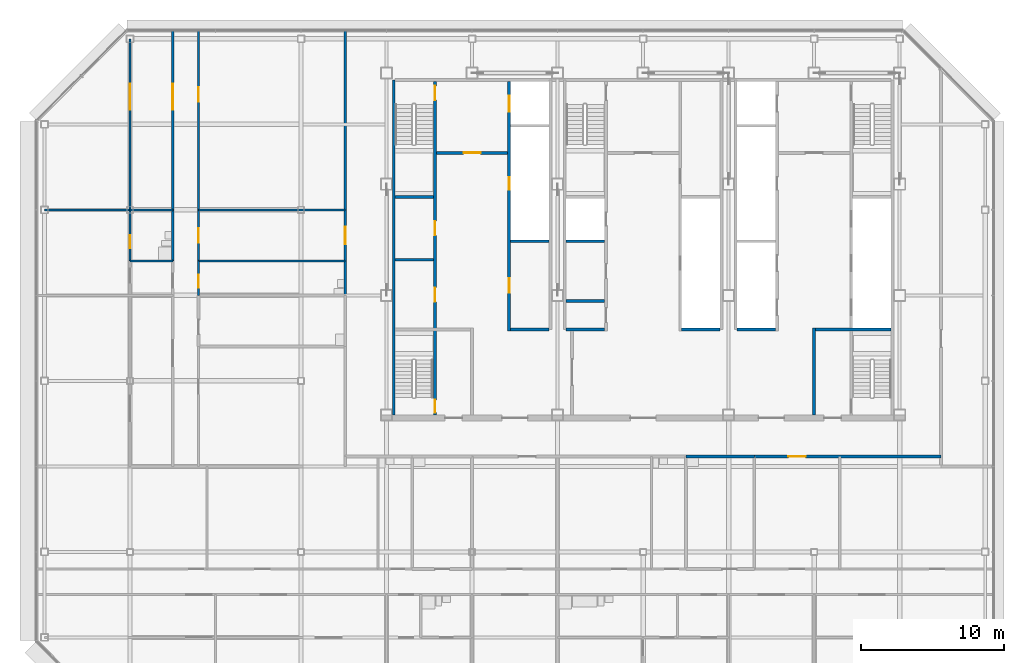
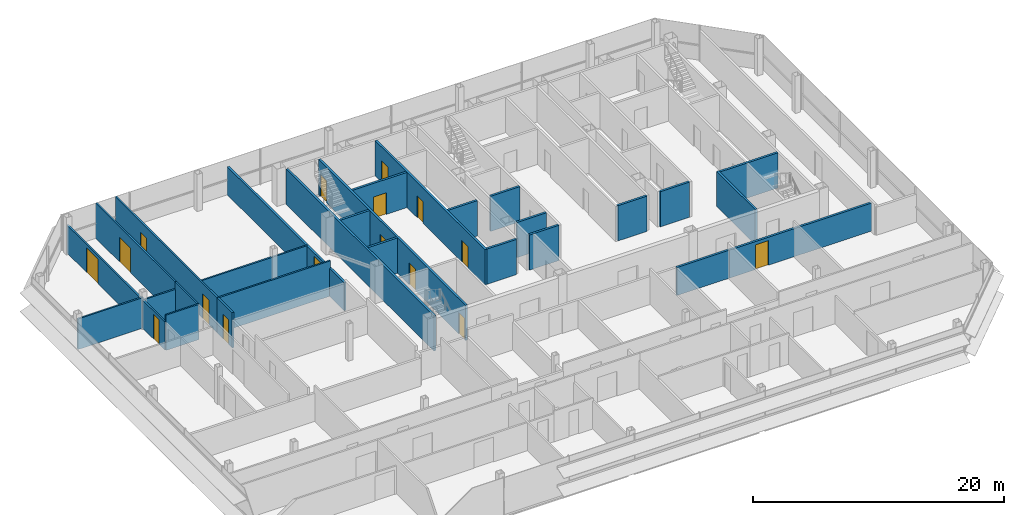
# One storey, part 23 of 27: 29 walls, 16 doors, 16 openings.
"""IFC4 building model written with IfcOpenShell, lengths in metres."""

from ifc_helpers import new_model, si_unit, direction, frame, frame_2d, origin, place, context, subcontext, project, spatial, rectangle, extrude, material, layer, layer_set, type_object, element, fill, save


model = new_model("IFC4")

# Units and contexts
model_context = context("Model", 3, precision=1e-05, world=origin(), true_north=direction((0.0, 1.0)))
body_context = subcontext(model_context, "Body", "Model", "MODEL_VIEW")
ifc_project = project(units=[si_unit("LENGTHUNIT", "METRE"), si_unit("AREAUNIT", "SQUARE_METRE"), si_unit("VOLUMEUNIT", "CUBIC_METRE"), si_unit("PLANEANGLEUNIT", "RADIAN"), si_unit("MASSUNIT", "GRAM", prefix="KILO")], contexts=[model_context])

# Site, building, storey
site_placement = place(None, origin())
site = spatial("IfcSite", under=ifc_project, at=site_placement, CompositionType="ELEMENT")
building_placement = place(site_placement, origin())
building = spatial("IfcBuilding", under=site, at=building_placement, Name="Sorahane Residences", CompositionType="ELEMENT")
storey_placement = place(building_placement, frame((0.0, 0.0, 323.199951171875)))
storey = spatial("IfcBuildingStorey", under=building, at=storey_placement, Name="L77", CompositionType="ELEMENT", Elevation=323.199951171875)

# Wall
ifc_material_1 = material(Name="Concrete C30", Category="concrete")
ifc_layer_1 = layer(ifc_material_1, 0.199951171875)
ifc_layer_set_1 = layer_set([ifc_layer_1], Name="Core face wall 200 EI 180")
wall_type_1 = type_object("IfcWallType", Name="Core face wall 200 EI 180", PredefinedType="SOLIDWALL", material=ifc_layer_set_1)
wall_1_placement = place(storey_placement, frame((6.5, 21.60009765625, 0.0), z_axis=(0.0, 0.0, 1.0), x_axis=(0.0, 1.0, 0.0)))
element("IfcWall", 1, at=wall_1_placement, inside=storey, type_object=wall_type_1, Name="L77 core face wall", PredefinedType="SOLIDWALL", context=body_context, shape_type="SweptSolid", body=[
    extrude(rectangle(XDim=23.5, YDim=0.199951171875, at=frame_2d((11.75, 0.0))), origin(), (0.0, 0.0, 1.0), 3.420166015625),
])

# Wall, opening, door
ifc_material_2 = material(Name="Concrete blockwork C20 wall", Category="masonry")
ifc_layer_2 = layer(ifc_material_2, 0.199951171875)
ifc_layer_set_2 = layer_set([ifc_layer_2], Name="Corridor wall 200 EI 120")
wall_type_2 = type_object("IfcWallType", Name="Corridor wall 200 EI 120", PredefinedType="SOLIDWALL", material=ifc_layer_set_2)
wall_2_placement = place(storey_placement, frame((3.10009765625, 30.0, 0.0), z_axis=(0.0, 0.0, 1.0), x_axis=(0.0, 1.0, 0.0)))
wall_2 = element("IfcWall", 2, at=wall_2_placement, inside=storey, type_object=wall_type_2, Name="L77 corridor wall", PredefinedType="SOLIDWALL", context=body_context, shape_type="SweptSolid", body=[
    extrude(rectangle(XDim=18.60009765625, YDim=0.199951171875, at=frame_2d((9.300048828125, 0.0))), origin(), (0.0, 0.0, 1.0), 2.719970703125),
])
opening_1_placement = place(wall_2_placement, frame((3.60009765625, 0.0, 0.0)))
opening_1 = element("IfcOpeningElement", 3, at=opening_1_placement, cuts=wall_2, Name="Opening L77-40", PredefinedType="OPENING", context=body_context, shape_type="SweptSolid", body=[
    extrude(rectangle(XDim=1.199951171875, YDim=2.39990234375, at=frame_2d((0.60009765625, 1.199951171875))), frame((0.0, 0.10986328125, 0.0), z_axis=(0.0, -1.0, 0.0), x_axis=(1.0, 0.0, 0.0)), (0.0, 0.0, 1.0), 0.219970703125),
])
ifc_material_3 = material(Name="Timber veneered fire door", Category="wood")
door_type_1 = type_object("IfcDoorType", Name="Flat entrance door 1200x2400 FD60", OperationType="NOTDEFINED", PredefinedType="DOOR", material=ifc_material_3)
door_1_placement = place(opening_1_placement, origin())
door_1 = element("IfcDoor", 4, at=door_1_placement, inside=storey, type_object=door_type_1, Name="Flat entrance door L77-40", OperationType="SINGLE_SWING_LEFT", OverallHeight=2.39990234375, OverallWidth=1.199951171875, PredefinedType="DOOR", context=body_context, shape_type="SweptSolid", body=[
    extrude(rectangle(XDim=1.199951171875, YDim=2.39990234375, at=frame_2d((0.60009765625, 1.199951171875))), frame((0.0, 0.02490234375, 0.0), z_axis=(0.0, -1.0, 0.0), x_axis=(1.0, 0.0, 0.0)), (0.0, 0.0, 1.0), 0.050048828125),
])
fill(opening_1, door_1)

wall_3_placement = place(storey_placement, frame((31.800048828125, 18.699951171875, 0.0), z_axis=(0.0, 0.0, 1.0), x_axis=(1.0, 0.0, 0.0)))
wall_3 = element("IfcWall", 5, at=wall_3_placement, inside=storey, type_object=wall_type_2, Name="L77 corridor wall", PredefinedType="SOLIDWALL", context=body_context, shape_type="SweptSolid", body=[
    extrude(rectangle(XDim=13.099853515625, YDim=0.199951171875, at=frame_2d((6.5498046875, 0.0))), origin(), (0.0, 0.0, 1.0), 2.719970703125),
])
opening_2_placement = place(wall_3_placement, frame((2.39990234375, 0.0, 0.0)))
opening_2 = element("IfcOpeningElement", 6, at=opening_2_placement, cuts=wall_3, Name="Opening L77-39", PredefinedType="OPENING", context=body_context, shape_type="SweptSolid", body=[
    extrude(rectangle(XDim=1.199951171875, YDim=2.39990234375, at=frame_2d((0.60009765625, 1.199951171875))), frame((0.0, 0.10986328125, 0.0), z_axis=(0.0, -1.0, 0.0), x_axis=(1.0, 0.0, 0.0)), (0.0, 0.0, 1.0), 0.219970703125),
])
door_2_placement = place(opening_2_placement, frame((1.199951171875, 0.0, 0.0), z_axis=(0.0, 0.0, 1.0), x_axis=(-1.0, 0.0, 0.0)))
door_2 = element("IfcDoor", 7, at=door_2_placement, inside=storey, type_object=door_type_1, Name="Flat entrance door L77-39", OperationType="SINGLE_SWING_RIGHT", OverallHeight=2.39990234375, OverallWidth=1.199951171875, PredefinedType="DOOR", context=body_context, shape_type="SweptSolid", body=[
    extrude(rectangle(XDim=1.199951171875, YDim=2.39990234375, at=frame_2d((0.60009765625, 1.199951171875))), frame((0.0, 0.02490234375, 0.0), z_axis=(0.0, -1.0, 0.0), x_axis=(1.0, 0.0, 0.0)), (0.0, 0.0, 1.0), 0.050048828125),
])
fill(opening_2, door_2)

# Wall
ifc_material_4 = material(Name="Concrete C30", Category="concrete")
ifc_layer_3 = layer(ifc_material_4, 0.199951171875)
ifc_layer_set_3 = layer_set([ifc_layer_3], Name="Front room wall 200 EI 120")
wall_type_3 = type_object("IfcWallType", Name="Front room wall 200 EI 120", PredefinedType="PARTITIONING", material=ifc_layer_set_3)
wall_4_placement = place(storey_placement, frame((36.0, 21.60009765625, 0.0), z_axis=(0.0, 0.0, 1.0), x_axis=(0.0, 1.0, 0.0)))
element("IfcWall", 8, at=wall_4_placement, inside=storey, type_object=wall_type_3, Name="L77 front room wall", PredefinedType="PARTITIONING", context=body_context, shape_type="SweptSolid", body=[
    extrude(rectangle(XDim=6.099853515625, YDim=0.199951171875, at=frame_2d((3.0498046875, 0.0))), origin(), (0.0, 0.0, 1.0), 3.420166015625),
])

# Wall, opening, door
wall_5_placement = place(storey_placement, frame((9.5, 40.0, 0.0), z_axis=(0.0, 0.0, 1.0), x_axis=(1.0, 0.0, 0.0)))
wall_5 = element("IfcWall", 9, at=wall_5_placement, inside=storey, type_object=wall_type_3, Name="L77 front room wall", PredefinedType="PARTITIONING", context=body_context, shape_type="SweptSolid", body=[
    extrude(rectangle(XDim=5.0, YDim=0.199951171875, at=frame_2d((2.5, 0.0))), origin(), (0.0, 0.0, 1.0), 3.420166015625),
])
opening_3_placement = place(wall_5_placement, frame((1.89990234375, 0.0, 0.0)))
opening_3 = element("IfcOpeningElement", 10, at=opening_3_placement, cuts=wall_5, Name="Opening L77-C07", PredefinedType="OPENING", context=body_context, shape_type="SweptSolid", body=[
    extrude(rectangle(XDim=1.199951171875, YDim=2.10009765625, at=frame_2d((0.60009765625, 1.050048828125))), frame((0.0, 0.10986328125, 0.0), z_axis=(0.0, -1.0, 0.0), x_axis=(1.0, 0.0, 0.0)), (0.0, 0.0, 1.0), 0.219970703125),
])
ifc_material_5 = material(Name="Steel", Category="steel")
door_type_2 = type_object("IfcDoorType", Name="Front room door 1200x2100 FD120", OperationType="NOTDEFINED", PredefinedType="DOOR", material=ifc_material_5)
door_3_placement = place(opening_3_placement, frame((1.199951171875, 0.0, 0.0), z_axis=(0.0, 0.0, 1.0), x_axis=(-1.0, 0.0, 0.0)))
door_3 = element("IfcDoor", 11, at=door_3_placement, inside=storey, type_object=door_type_2, Name="Front room door Firefighting lobby FF1 front room L77", OperationType="DOUBLE_DOOR_SINGLE_SWING", OverallHeight=2.10009765625, OverallWidth=1.199951171875, PredefinedType="DOOR", context=body_context, shape_type="SweptSolid", body=[
    extrude(rectangle(XDim=1.199951171875, YDim=2.10009765625, at=frame_2d((0.60009765625, 1.050048828125))), frame((0.0, 0.02490234375, 0.0), z_axis=(0.0, -1.0, 0.0), x_axis=(1.0, 0.0, 0.0)), (0.0, 0.0, 1.0), 0.050048828125),
])
fill(opening_3, door_3)

# Wall
ifc_material_6 = material(Name="Concrete blockwork C20 wall", Category="masonry")
ifc_layer_4 = layer(ifc_material_6, 0.199951171875)
ifc_layer_set_4 = layer_set([ifc_layer_4], Name="Kitchen wall 200 EI 180")
wall_type_4 = type_object("IfcWallType", Name="Kitchen wall 200 EI 180", PredefinedType="SOLIDWALL", material=ifc_layer_set_4)
wall_6_placement = place(storey_placement, frame((27.0, 18.699951171875, 0.0), z_axis=(0.0, 0.0, 1.0), x_axis=(1.0, 0.0, 0.0)))
element("IfcWall", 12, at=wall_6_placement, inside=storey, type_object=wall_type_4, Name="L77 kitchen wall", PredefinedType="SOLIDWALL", context=body_context, shape_type="SweptSolid", body=[
    extrude(rectangle(XDim=4.800048828125, YDim=0.199951171875, at=frame_2d((2.39990234375, 0.0))), origin(), (0.0, 0.0, 1.0), 2.719970703125),
])

# Wall, openings, doors
ifc_material_7 = material(Name="Concrete C30", Category="concrete")
ifc_layer_5 = layer(ifc_material_7, 0.199951171875)
ifc_layer_set_5 = layer_set([ifc_layer_5], Name="Lift shaft wall 200 EI 120")
wall_type_5 = type_object("IfcWallType", Name="Lift shaft wall 200 EI 120", PredefinedType="SOLIDWALL", material=ifc_layer_set_5)
wall_7_placement = place(storey_placement, frame((14.60009765625, 27.5, 0.0), z_axis=(0.0, 0.0, 1.0), x_axis=(0.0, 1.0, 0.0)))
wall_7 = element("IfcWall", 13, at=wall_7_placement, inside=storey, type_object=wall_type_5, Name="L77 lift shaft wall", PredefinedType="SOLIDWALL", context=body_context, shape_type="SweptSolid", body=[
    extrude(rectangle(XDim=17.5, YDim=0.199951171875, at=frame_2d((8.75, 0.0))), origin(), (0.0, 0.0, 1.0), 3.420166015625),
])
opening_4_placement = place(wall_7_placement, frame((15.39990234375, 0.0, 0.0)))
opening_4 = element("IfcOpeningElement", 14, at=opening_4_placement, cuts=wall_7, Name="Opening L77-C16", PredefinedType="OPENING", context=body_context, shape_type="SweptSolid", body=[
    extrude(rectangle(XDim=1.10009765625, YDim=2.10009765625, at=frame_2d((0.550048828125, 1.050048828125))), frame((0.0, 0.10986328125, 0.0), z_axis=(0.0, -1.0, 0.0), x_axis=(1.0, 0.0, 0.0)), (0.0, 0.0, 1.0), 0.219970703125),
])
opening_5_placement = place(wall_7_placement, frame((2.699951171875, 0.0, 0.0)))
opening_5 = element("IfcOpeningElement", 15, at=opening_5_placement, cuts=wall_7, Name="Opening L77-C19", PredefinedType="OPENING", context=body_context, shape_type="SweptSolid", body=[
    extrude(rectangle(XDim=1.0, YDim=2.10009765625, at=frame_2d((0.5, 1.050048828125))), frame((0.0, 0.10986328125, 0.0), z_axis=(0.0, -1.0, 0.0), x_axis=(1.0, 0.0, 0.0)), (0.0, 0.0, 1.0), 0.219970703125),
])
opening_6_placement = place(wall_7_placement, frame((9.89990234375, 0.0, 0.0)))
opening_6 = element("IfcOpeningElement", 16, at=opening_6_placement, cuts=wall_7, Name="Opening L77-C27", PredefinedType="OPENING", context=body_context, shape_type="SweptSolid", body=[
    extrude(rectangle(XDim=0.89990234375, YDim=2.10009765625, at=frame_2d((0.449951171875, 1.050048828125))), frame((0.0, 0.10986328125, 0.0), z_axis=(0.0, -1.0, 0.0), x_axis=(1.0, 0.0, 0.0)), (0.0, 0.0, 1.0), 0.219970703125),
])
ifc_material_8 = material(Name="Aluminium and stainless steel", Category="steel")
door_type_3 = type_object("IfcDoorType", Name="Lift landing door 1100x2100 E 60", OperationType="NOTDEFINED", PredefinedType="DOOR", material=ifc_material_8)
door_4_placement = place(opening_4_placement, origin())
door_4 = element("IfcDoor", 17, at=door_4_placement, inside=storey, type_object=door_type_3, Name="Lift landing door FF1 L77", OperationType="DOUBLE_DOOR_SLIDING", OverallHeight=2.10009765625, OverallWidth=1.10009765625, PredefinedType="DOOR", context=body_context, shape_type="SweptSolid", body=[
    extrude(rectangle(XDim=1.10009765625, YDim=2.10009765625, at=frame_2d((0.550048828125, 1.050048828125))), frame((0.0, 0.02490234375, 0.0), z_axis=(0.0, -1.0, 0.0), x_axis=(1.0, 0.0, 0.0)), (0.0, 0.0, 1.0), 0.050048828125),
])
fill(opening_4, door_4)
ifc_material_9 = material(Name="Steel", Category="steel")
door_type_4 = type_object("IfcDoorType", Name="Riser door 900x2100 FD120", OperationType="NOTDEFINED", PredefinedType="DOOR", material=ifc_material_9)
door_5_placement = place(opening_6_placement, origin())
door_5 = element("IfcDoor", 18, at=door_5_placement, inside=storey, type_object=door_type_4, Name="Riser door R1 L77", OperationType="SINGLE_SWING_LEFT", OverallHeight=2.10009765625, OverallWidth=0.89990234375, PredefinedType="DOOR", context=body_context, shape_type="SweptSolid", body=[
    extrude(rectangle(XDim=0.89990234375, YDim=2.10009765625, at=frame_2d((0.449951171875, 1.050048828125))), frame((0.0, 0.02490234375, 0.0), z_axis=(0.0, -1.0, 0.0), x_axis=(1.0, 0.0, 0.0)), (0.0, 0.0, 1.0), 0.050048828125),
])
fill(opening_6, door_5)
ifc_material_10 = material(Name="Steel", Category="steel")
door_type_5 = type_object("IfcDoorType", Name="Service room door 1000x2100 FD60", OperationType="NOTDEFINED", PredefinedType="DOOR", material=ifc_material_10)
door_6_placement = place(opening_5_placement, frame((1.0, 0.0, 0.0), z_axis=(0.0, 0.0, 1.0), x_axis=(-1.0, 0.0, 0.0)))
door_6 = element("IfcDoor", 19, at=door_6_placement, inside=storey, type_object=door_type_5, Name="Service room door Study L77", OperationType="SINGLE_SWING_RIGHT", OverallHeight=2.10009765625, OverallWidth=1.0, PredefinedType="DOOR", context=body_context, shape_type="SweptSolid", body=[
    extrude(rectangle(XDim=1.0, YDim=2.10009765625, at=frame_2d((0.5, 1.050048828125))), frame((0.0, 0.02490234375, 0.0), z_axis=(0.0, -1.0, 0.0), x_axis=(1.0, 0.0, 0.0)), (0.0, 0.0, 1.0), 0.050048828125),
])
fill(opening_5, door_6)

# Wall
wall_8_placement = place(storey_placement, frame((30.60009765625, 27.60009765625, 0.0), z_axis=(0.0, 0.0, 1.0), x_axis=(1.0, 0.0, 0.0)))
element("IfcWall", 20, at=wall_8_placement, inside=storey, type_object=wall_type_5, Name="L77 lift shaft wall", PredefinedType="SOLIDWALL", context=body_context, shape_type="SweptSolid", body=[
    extrude(rectangle(XDim=2.699951171875, YDim=0.199951171875, at=frame_2d((1.35009765625, 0.0))), origin(), (0.0, 0.0, 1.0), 3.420166015625),
])

# Wall, opening, door
ifc_material_11 = material(Name="Gypsum board partition on steel studs", Category="steel")
ifc_layer_6 = layer(ifc_material_11, 0.14990234375)
ifc_layer_set_6 = layer_set([ifc_layer_6], Name="Partition 150 EI 90")
wall_type_6 = type_object("IfcWallType", Name="Partition 150 EI 90", PredefinedType="PARTITIONING", material=ifc_layer_set_6)
wall_9_placement = place(storey_placement, frame((-12.0, 36.0, 0.0), z_axis=(0.0, 0.0, 1.0), x_axis=(0.0, 1.0, 0.0)))
wall_9 = element("IfcWall", 21, at=wall_9_placement, inside=storey, type_object=wall_type_6, Name="L77 partition", PredefinedType="PARTITIONING", context=body_context, shape_type="SweptSolid", body=[
    extrude(rectangle(XDim=12.0, YDim=0.14990234375, at=frame_2d((6.0, 0.0))), origin(), (0.0, 0.0, 1.0), 2.719970703125),
])
opening_7_placement = place(wall_9_placement, frame((7.0400390625, 0.0, 0.0)))
opening_7 = element("IfcOpeningElement", 22, at=opening_7_placement, cuts=wall_9, Name="Opening L77-37", PredefinedType="OPENING", context=body_context, shape_type="SweptSolid", body=[
    extrude(rectangle(XDim=1.800048828125, YDim=2.39990234375, at=frame_2d((0.89990234375, 1.199951171875))), frame((0.0, 0.0849609375, 0.0), z_axis=(0.0, -1.0, 0.0), x_axis=(1.0, 0.0, 0.0)), (0.0, 0.0, 1.0), 0.169921875),
])
ifc_material_12 = material(Name="Timber veneered fire door", Category="wood")
door_type_6 = type_object("IfcDoorType", Name="Double door 1800x2400 FD30", OperationType="NOTDEFINED", PredefinedType="DOOR", material=ifc_material_12)
door_7_placement = place(opening_7_placement, origin())
door_7 = element("IfcDoor", 23, at=door_7_placement, inside=storey, type_object=door_type_6, Name="Double door L77-37", OperationType="SINGLE_SWING_RIGHT", OverallHeight=2.39990234375, OverallWidth=1.800048828125, PredefinedType="DOOR", context=body_context, shape_type="SweptSolid", body=[
    extrude(rectangle(XDim=1.800048828125, YDim=2.39990234375, at=frame_2d((0.89990234375, 1.199951171875))), frame((0.0, 0.02490234375, 0.0), z_axis=(0.0, -1.0, 0.0), x_axis=(1.0, 0.0, 0.0)), (0.0, 0.0, 1.0), 0.050048828125),
])
fill(opening_7, door_7)

# Wall, openings, doors
wall_10_placement = place(storey_placement, frame((-7.199951171875, 32.39990234375, 0.0), z_axis=(0.0, 0.0, 1.0), x_axis=(0.0, 1.0, 0.0)))
wall_10 = element("IfcWall", 24, at=wall_10_placement, inside=storey, type_object=wall_type_6, Name="L77 partition", PredefinedType="PARTITIONING", context=body_context, shape_type="SweptSolid", body=[
    extrude(rectangle(XDim=16.2001953125, YDim=0.14990234375, at=frame_2d((8.10009765625, 0.0))), origin(), (0.0, 0.0, 1.0), 3.420166015625),
])
opening_8_placement = place(wall_10_placement, frame((1.300048828125, 0.0, 0.0)))
opening_8 = element("IfcOpeningElement", 25, at=opening_8_placement, cuts=wall_10, Name="Opening L77-26", PredefinedType="OPENING", context=body_context, shape_type="SweptSolid", body=[
    extrude(rectangle(XDim=1.0, YDim=2.39990234375, at=frame_2d((0.5, 1.199951171875))), frame((0.0, 0.0849609375, 0.0), z_axis=(0.0, -1.0, 0.0), x_axis=(1.0, 0.0, 0.0)), (0.0, 0.0, 1.0), 0.169921875),
])
opening_9_placement = place(wall_10_placement, frame((11.199951171875, 0.0, 0.0)))
opening_9 = element("IfcOpeningElement", 26, at=opening_9_placement, cuts=wall_10, Name="Opening L77-30", PredefinedType="OPENING", context=body_context, shape_type="SweptSolid", body=[
    extrude(rectangle(XDim=1.0, YDim=2.39990234375, at=frame_2d((0.5, 1.199951171875))), frame((0.0, 0.0849609375, 0.0), z_axis=(0.0, -1.0, 0.0), x_axis=(1.0, 0.0, 0.0)), (0.0, 0.0, 1.0), 0.169921875),
])
ifc_material_13 = material(Name="Timber veneered fire door", Category="wood")
door_type_7 = type_object("IfcDoorType", Name="Room door 1000x2400 FD30", OperationType="NOTDEFINED", PredefinedType="DOOR", material=ifc_material_13)
door_8_placement = place(opening_8_placement, origin())
door_8 = element("IfcDoor", 27, at=door_8_placement, inside=storey, type_object=door_type_7, Name="Room door L77-26", OperationType="SINGLE_SWING_LEFT", OverallHeight=2.39990234375, OverallWidth=1.0, PredefinedType="DOOR", context=body_context, shape_type="SweptSolid", body=[
    extrude(rectangle(XDim=1.0, YDim=2.39990234375, at=frame_2d((0.5, 1.199951171875))), frame((0.0, 0.02490234375, 0.0), z_axis=(0.0, -1.0, 0.0), x_axis=(1.0, 0.0, 0.0)), (0.0, 0.0, 1.0), 0.050048828125),
])
fill(opening_8, door_8)
door_9_placement = place(opening_9_placement, frame((1.0, 0.0, 0.0), z_axis=(0.0, 0.0, 1.0), x_axis=(-1.0, 0.0, 0.0)))
door_9 = element("IfcDoor", 28, at=door_9_placement, inside=storey, type_object=door_type_7, Name="Room door L77-30", OperationType="SINGLE_SWING_RIGHT", OverallHeight=2.39990234375, OverallWidth=1.0, PredefinedType="DOOR", context=body_context, shape_type="SweptSolid", body=[
    extrude(rectangle(XDim=1.0, YDim=2.39990234375, at=frame_2d((0.5, 1.199951171875))), frame((0.0, 0.02490234375, 0.0), z_axis=(0.0, -1.0, 0.0), x_axis=(1.0, 0.0, 0.0)), (0.0, 0.0, 1.0), 0.050048828125),
])
fill(opening_9, door_9)

# Wall, opening, door
wall_11_placement = place(storey_placement, frame((-9.0, 36.0, 0.0), z_axis=(0.0, 0.0, 1.0), x_axis=(0.0, 1.0, 0.0)))
wall_11 = element("IfcWall", 29, at=wall_11_placement, inside=storey, type_object=wall_type_6, Name="L77 partition", PredefinedType="PARTITIONING", context=body_context, shape_type="SweptSolid", body=[
    extrude(rectangle(XDim=12.60009765625, YDim=0.14990234375, at=frame_2d((6.300048828125, 0.0))), origin(), (0.0, 0.0, 1.0), 3.420166015625),
])
opening_10_placement = place(wall_11_placement, frame((7.0400390625, 0.0, 0.0)))
opening_10 = element("IfcOpeningElement", 30, at=opening_10_placement, cuts=wall_11, Name="Opening L77-33", PredefinedType="OPENING", context=body_context, shape_type="SweptSolid", body=[
    extrude(rectangle(XDim=1.800048828125, YDim=2.39990234375, at=frame_2d((0.89990234375, 1.199951171875))), frame((0.0, 0.0849609375, 0.0), z_axis=(0.0, -1.0, 0.0), x_axis=(1.0, 0.0, 0.0)), (0.0, 0.0, 1.0), 0.169921875),
])
door_10_placement = place(opening_10_placement, origin())
door_10 = element("IfcDoor", 31, at=door_10_placement, inside=storey, type_object=door_type_6, Name="Double door L77-33", OperationType="SINGLE_SWING_LEFT", OverallHeight=2.39990234375, OverallWidth=1.800048828125, PredefinedType="DOOR", context=body_context, shape_type="SweptSolid", body=[
    extrude(rectangle(XDim=1.800048828125, YDim=2.39990234375, at=frame_2d((0.89990234375, 1.199951171875))), frame((0.0, 0.02490234375, 0.0), z_axis=(0.0, -1.0, 0.0), x_axis=(1.0, 0.0, 0.0)), (0.0, 0.0, 1.0), 0.050048828125),
])
fill(opening_10, door_10)

# Walls
wall_12_placement = place(storey_placement, frame((-18.0, 36.0, 0.0), z_axis=(0.0, 0.0, 1.0), x_axis=(1.0, 0.0, 0.0)))
element("IfcWall", 32, at=wall_12_placement, inside=storey, type_object=wall_type_6, Name="L77 partition", PredefinedType="PARTITIONING", context=body_context, shape_type="SweptSolid", body=[
    extrude(rectangle(XDim=6.0, YDim=0.14990234375, at=frame_2d((3.0, 0.0))), origin(), (0.0, 0.0, 1.0), 2.969970703125),
])
wall_13_placement = place(storey_placement, frame((-7.199951171875, 36.0, 0.0), z_axis=(0.0, 0.0, 1.0), x_axis=(1.0, 0.0, 0.0)))
element("IfcWall", 33, at=wall_13_placement, inside=storey, type_object=wall_type_6, Name="L77 partition", PredefinedType="PARTITIONING", context=body_context, shape_type="SweptSolid", body=[
    extrude(rectangle(XDim=10.300048828125, YDim=0.14990234375, at=frame_2d((5.14990234375, 0.0))), origin(), (0.0, 0.0, 1.0), 2.719970703125),
])
ifc_material_14 = material(Name="Concrete C30", Category="concrete")
ifc_layer_7 = layer(ifc_material_14, 0.199951171875)
ifc_layer_set_7 = layer_set([ifc_layer_7], Name="Riser shaft wall 200 EI 120")
wall_type_7 = type_object("IfcWallType", Name="Riser shaft wall 200 EI 120", PredefinedType="SOLIDWALL", material=ifc_layer_set_7)
for number, where, z_axis, x_axis, name in (
    (34, (26.699951171875, 27.60009765625, 0.0), (0.0, 0.0, 1.0), (1.0, 0.0, 0.0), "L77 riser wall"),
    (35, (14.699951171875, 33.800048828125, 0.0), (0.0, 0.0, 1.0), (1.0, 0.0, 0.0), "L77 riser wall"),
    (36, (18.60009765625, 33.800048828125, 0.0), (0.0, 0.0, 1.0), (1.0, 0.0, 0.0), "L77 riser wall"),
):
    element("IfcWall", number, at=place(storey_placement, frame(where, z_axis=z_axis, x_axis=x_axis)), inside=storey, type_object=wall_type_7, Name=name, PredefinedType="SOLIDWALL", context=body_context, shape_type="SweptSolid", body=[
        extrude(rectangle(XDim=2.699951171875, YDim=0.199951171875, at=frame_2d((1.35009765625, 0.0))), origin(), (0.0, 0.0, 1.0), 3.420166015625),
    ])
ifc_material_15 = material(Name="Concrete C30", Category="concrete")
ifc_layer_8 = layer(ifc_material_15, 0.199951171875)
ifc_layer_set_8 = layer_set([ifc_layer_8], Name="Service room partition 200 EI 60")
wall_type_8 = type_object("IfcWallType", Name="Service room partition 200 EI 60", PredefinedType="PARTITIONING", material=ifc_layer_set_8)
for number, where, z_axis, x_axis, name in (
    (37, (14.699951171875, 27.60009765625, 0.0), (0.0, 0.0, 1.0), (1.0, 0.0, 0.0), "L77 service room wall"),
    (38, (18.60009765625, 27.60009765625, 0.0), (0.0, 0.0, 1.0), (1.0, 0.0, 0.0), "L77 service room wall"),
    (39, (18.60009765625, 29.60009765625, 0.0), (0.0, 0.0, 1.0), (1.0, 0.0, 0.0), "L77 service room wall"),
    (40, (6.60009765625, 32.5, 0.0), (0.0, 0.0, 1.0), (1.0, 0.0, 0.0), "L77 service room wall"),
):
    element("IfcWall", number, at=place(storey_placement, frame(where, z_axis=z_axis, x_axis=x_axis)), inside=storey, type_object=wall_type_8, Name=name, PredefinedType="PARTITIONING", context=body_context, shape_type="SweptSolid", body=[
        extrude(rectangle(XDim=2.699951171875, YDim=0.199951171875, at=frame_2d((1.35009765625, 0.0))), origin(), (0.0, 0.0, 1.0), 3.420166015625),
    ])

# Wall, openings, doors
ifc_material_16 = material(Name="Concrete C30", Category="concrete")
ifc_layer_9 = layer(ifc_material_16, 0.199951171875)
ifc_layer_set_9 = layer_set([ifc_layer_9], Name="Stair enclosure wall 200 EI 120")
wall_type_9 = type_object("IfcWallType", Name="Stair enclosure wall 200 EI 120", PredefinedType="SOLIDWALL", material=ifc_layer_set_9)
wall_14_placement = place(storey_placement, frame((9.39990234375, 21.60009765625, 0.0), z_axis=(0.0, 0.0, 1.0), x_axis=(0.0, 1.0, 0.0)))
wall_14 = element("IfcWall", 41, at=wall_14_placement, inside=storey, type_object=wall_type_9, Name="L77 stair enclosure wall", PredefinedType="SOLIDWALL", context=body_context, shape_type="SweptSolid", body=[
    extrude(rectangle(XDim=23.39990234375, YDim=0.199951171875, at=frame_2d((11.699951171875, 0.0))), origin(), (0.0, 0.0, 1.0), 3.420166015625),
])
opening_11_placement = place(wall_14_placement, frame((7.949951171875, 0.0, 0.0)))
opening_11 = element("IfcOpeningElement", 42, at=opening_11_placement, cuts=wall_14, Name="Opening L77-C20", PredefinedType="OPENING", context=body_context, shape_type="SweptSolid", body=[
    extrude(rectangle(XDim=1.0, YDim=2.10009765625, at=frame_2d((0.5, 1.050048828125))), frame((0.0, 0.10986328125, 0.0), z_axis=(0.0, -1.0, 0.0), x_axis=(1.0, 0.0, 0.0)), (0.0, 0.0, 1.0), 0.219970703125),
])
opening_12_placement = place(wall_14_placement, frame((12.60009765625, 0.0, 0.0)))
opening_12 = element("IfcOpeningElement", 43, at=opening_12_placement, cuts=wall_14, Name="Opening L77-C21", PredefinedType="OPENING", context=body_context, shape_type="SweptSolid", body=[
    extrude(rectangle(XDim=1.0, YDim=2.10009765625, at=frame_2d((0.5, 1.050048828125))), frame((0.0, 0.10986328125, 0.0), z_axis=(0.0, -1.0, 0.0), x_axis=(1.0, 0.0, 0.0)), (0.0, 0.0, 1.0), 0.219970703125),
])
opening_13_placement = place(wall_14_placement, frame((22.10009765625, 0.0, 0.0)))
opening_13 = element("IfcOpeningElement", 44, at=opening_13_placement, cuts=wall_14, Name="Opening L77-C22", PredefinedType="OPENING", context=body_context, shape_type="SweptSolid", body=[
    extrude(rectangle(XDim=1.0, YDim=2.10009765625, at=frame_2d((0.5, 1.050048828125))), frame((0.0, 0.10986328125, 0.0), z_axis=(0.0, -1.0, 0.0), x_axis=(1.0, 0.0, 0.0)), (0.0, 0.0, 1.0), 0.219970703125),
])
opening_14_placement = place(wall_14_placement, frame((0.175048828125, 0.0, 0.0)))
opening_14 = element("IfcOpeningElement", 45, at=opening_14_placement, cuts=wall_14, Name="Opening L77-C25", PredefinedType="OPENING", context=body_context, shape_type="SweptSolid", body=[
    extrude(rectangle(XDim=0.89990234375, YDim=2.10009765625, at=frame_2d((0.449951171875, 1.050048828125))), frame((0.0, 0.10986328125, 0.0), z_axis=(0.0, -1.0, 0.0), x_axis=(1.0, 0.0, 0.0)), (0.0, 0.0, 1.0), 0.219970703125),
])
door_11_placement = place(opening_11_placement, origin())
door_11 = element("IfcDoor", 46, at=door_11_placement, inside=storey, type_object=door_type_5, Name="Service room door Reading room L77", OperationType="SINGLE_SWING_LEFT", OverallHeight=2.10009765625, OverallWidth=1.0, PredefinedType="DOOR", context=body_context, shape_type="SweptSolid", body=[
    extrude(rectangle(XDim=1.0, YDim=2.10009765625, at=frame_2d((0.5, 1.050048828125))), frame((0.0, 0.02490234375, 0.0), z_axis=(0.0, -1.0, 0.0), x_axis=(1.0, 0.0, 0.0)), (0.0, 0.0, 1.0), 0.050048828125),
])
fill(opening_11, door_11)
door_12_placement = place(opening_12_placement, origin())
door_12 = element("IfcDoor", 47, at=door_12_placement, inside=storey, type_object=door_type_5, Name="Service room door Guest suite store L77", OperationType="SINGLE_SWING_RIGHT", OverallHeight=2.10009765625, OverallWidth=1.0, PredefinedType="DOOR", context=body_context, shape_type="SweptSolid", body=[
    extrude(rectangle(XDim=1.0, YDim=2.10009765625, at=frame_2d((0.5, 1.050048828125))), frame((0.0, 0.02490234375, 0.0), z_axis=(0.0, -1.0, 0.0), x_axis=(1.0, 0.0, 0.0)), (0.0, 0.0, 1.0), 0.050048828125),
])
fill(opening_12, door_12)
ifc_material_17 = material(Name="Steel", Category="steel")
door_type_8 = type_object("IfcDoorType", Name="Stair door 1000x2100 FD120", OperationType="NOTDEFINED", PredefinedType="DOOR", material=ifc_material_17)
door_13_placement = place(opening_13_placement, origin())
door_13 = element("IfcDoor", 48, at=door_13_placement, inside=storey, type_object=door_type_8, Name="Stair door S1 L77", OperationType="SINGLE_SWING_LEFT", OverallHeight=2.10009765625, OverallWidth=1.0, PredefinedType="DOOR", context=body_context, shape_type="SweptSolid", body=[
    extrude(rectangle(XDim=1.0, YDim=2.10009765625, at=frame_2d((0.5, 1.050048828125))), frame((0.0, 0.02490234375, 0.0), z_axis=(0.0, -1.0, 0.0), x_axis=(1.0, 0.0, 0.0)), (0.0, 0.0, 1.0), 0.050048828125),
])
fill(opening_13, door_13)
ifc_material_18 = material(Name="Steel", Category="steel")
door_type_9 = type_object("IfcDoorType", Name="Stair door 900x2100 FD120", OperationType="NOTDEFINED", PredefinedType="DOOR", material=ifc_material_18)
door_14_placement = place(opening_14_placement, origin())
door_14 = element("IfcDoor", 49, at=door_14_placement, inside=storey, type_object=door_type_9, Name="Stair door S4 L77", OperationType="SINGLE_SWING_LEFT", OverallHeight=2.10009765625, OverallWidth=0.89990234375, PredefinedType="DOOR", context=body_context, shape_type="SweptSolid", body=[
    extrude(rectangle(XDim=0.89990234375, YDim=2.10009765625, at=frame_2d((0.449951171875, 1.050048828125))), frame((0.0, 0.02490234375, 0.0), z_axis=(0.0, -1.0, 0.0), x_axis=(1.0, 0.0, 0.0)), (0.0, 0.0, 1.0), 0.050048828125),
])
fill(opening_14, door_14)

# Walls
wall_15_placement = place(storey_placement, frame((36.10009765625, 27.60009765625, 0.0), z_axis=(0.0, 0.0, 1.0), x_axis=(1.0, 0.0, 0.0)))
element("IfcWall", 50, at=wall_15_placement, inside=storey, type_object=wall_type_9, Name="L77 stair enclosure wall", PredefinedType="SOLIDWALL", context=body_context, shape_type="SweptSolid", body=[
    extrude(rectangle(XDim=5.2998046875, YDim=0.199951171875, at=frame_2d((2.64990234375, 0.0))), origin(), (0.0, 0.0, 1.0), 3.420166015625),
])
wall_16_placement = place(storey_placement, frame((6.60009765625, 36.89990234375, 0.0), z_axis=(0.0, 0.0, 1.0), x_axis=(1.0, 0.0, 0.0)))
element("IfcWall", 51, at=wall_16_placement, inside=storey, type_object=wall_type_9, Name="L77 stair enclosure wall", PredefinedType="SOLIDWALL", context=body_context, shape_type="SweptSolid", body=[
    extrude(rectangle(XDim=2.699951171875, YDim=0.199951171875, at=frame_2d((1.35009765625, 0.0))), origin(), (0.0, 0.0, 1.0), 3.420166015625),
])

# Wall, opening, door
ifc_material_19 = material(Name="Gypsum board partition on steel studs", Category="steel")
ifc_layer_10 = layer(ifc_material_19, 0.14990234375)
ifc_layer_set_10 = layer_set([ifc_layer_10], Name="Wet wall 150 EI 90")
wall_type_10 = type_object("IfcWallType", Name="Wet wall 150 EI 90", PredefinedType="PARTITIONING", material=ifc_layer_set_10)
wall_17_placement = place(storey_placement, frame((-12.0, 32.39990234375, 0.0), z_axis=(0.0, 0.0, 1.0), x_axis=(0.0, 1.0, 0.0)))
wall_17 = element("IfcWall", 52, at=wall_17_placement, inside=storey, type_object=wall_type_10, Name="L77 wet wall", PredefinedType="PARTITIONING", context=body_context, shape_type="SweptSolid", body=[
    extrude(rectangle(XDim=3.60009765625, YDim=0.14990234375, at=frame_2d((1.800048828125, 0.0))), origin(), (0.0, 0.0, 1.0), 2.719970703125),
])
opening_15_placement = place(wall_17_placement, frame((0.909912109375, 0.0, 0.0)))
opening_15 = element("IfcOpeningElement", 53, at=opening_15_placement, cuts=wall_17, Name="Opening L77-36", PredefinedType="OPENING", context=body_context, shape_type="SweptSolid", body=[
    extrude(rectangle(XDim=0.89990234375, YDim=2.39990234375, at=frame_2d((0.449951171875, 1.199951171875))), frame((0.0, 0.0849609375, 0.0), z_axis=(0.0, -1.0, 0.0), x_axis=(1.0, 0.0, 0.0)), (0.0, 0.0, 1.0), 0.169921875),
])
ifc_material_20 = material(Name="Timber veneered fire door", Category="wood")
door_type_10 = type_object("IfcDoorType", Name="Bathroom door 900x2400 FD30", OperationType="NOTDEFINED", PredefinedType="DOOR", material=ifc_material_20)
door_15_placement = place(opening_15_placement, origin())
door_15 = element("IfcDoor", 54, at=door_15_placement, inside=storey, type_object=door_type_10, Name="Bathroom door L77-36", OperationType="SINGLE_SWING_RIGHT", OverallHeight=2.39990234375, OverallWidth=0.89990234375, PredefinedType="DOOR", context=body_context, shape_type="SweptSolid", body=[
    extrude(rectangle(XDim=0.89990234375, YDim=2.39990234375, at=frame_2d((0.449951171875, 1.199951171875))), frame((0.0, 0.02490234375, 0.0), z_axis=(0.0, -1.0, 0.0), x_axis=(1.0, 0.0, 0.0)), (0.0, 0.0, 1.0), 0.050048828125),
])
fill(opening_15, door_15)

wall_18_placement = place(storey_placement, frame((-7.199951171875, 30.0, 0.0), z_axis=(0.0, 0.0, 1.0), x_axis=(0.0, 1.0, 0.0)))
wall_18 = element("IfcWall", 55, at=wall_18_placement, inside=storey, type_object=wall_type_10, Name="L77 wet wall", PredefinedType="PARTITIONING", context=body_context, shape_type="SweptSolid", body=[
    extrude(rectangle(XDim=2.39990234375, YDim=0.14990234375, at=frame_2d((1.199951171875, 0.0))), origin(), (0.0, 0.0, 1.0), 3.420166015625),
])
opening_16_placement = place(wall_18_placement, frame((0.550048828125, 0.0, 0.0)))
opening_16 = element("IfcOpeningElement", 56, at=opening_16_placement, cuts=wall_18, Name="Opening L77-29", PredefinedType="OPENING", context=body_context, shape_type="SweptSolid", body=[
    extrude(rectangle(XDim=0.89990234375, YDim=2.39990234375, at=frame_2d((0.449951171875, 1.199951171875))), frame((0.0, 0.0849609375, 0.0), z_axis=(0.0, -1.0, 0.0), x_axis=(1.0, 0.0, 0.0)), (0.0, 0.0, 1.0), 0.169921875),
])
door_16_placement = place(opening_16_placement, origin())
door_16 = element("IfcDoor", 57, at=door_16_placement, inside=storey, type_object=door_type_10, Name="Bathroom door L77-29", OperationType="SINGLE_SWING_LEFT", OverallHeight=2.39990234375, OverallWidth=0.89990234375, PredefinedType="DOOR", context=body_context, shape_type="SweptSolid", body=[
    extrude(rectangle(XDim=0.89990234375, YDim=2.39990234375, at=frame_2d((0.449951171875, 1.199951171875))), frame((0.0, 0.02490234375, 0.0), z_axis=(0.0, -1.0, 0.0), x_axis=(1.0, 0.0, 0.0)), (0.0, 0.0, 1.0), 0.050048828125),
])
fill(opening_16, door_16)

# Walls
wall_19_placement = place(storey_placement, frame((-9.0, 32.39990234375, 0.0), z_axis=(0.0, 0.0, 1.0), x_axis=(0.0, 1.0, 0.0)))
element("IfcWall", 58, at=wall_19_placement, inside=storey, type_object=wall_type_10, Name="L77 wet wall", PredefinedType="PARTITIONING", context=body_context, shape_type="SweptSolid", body=[
    extrude(rectangle(XDim=3.60009765625, YDim=0.14990234375, at=frame_2d((1.800048828125, 0.0))), origin(), (0.0, 0.0, 1.0), 3.420166015625),
])
wall_20_placement = place(storey_placement, frame((-12.0, 32.39990234375, 0.0), z_axis=(0.0, 0.0, 1.0), x_axis=(1.0, 0.0, 0.0)))
element("IfcWall", 59, at=wall_20_placement, inside=storey, type_object=wall_type_10, Name="L77 wet wall", PredefinedType="PARTITIONING", context=body_context, shape_type="SweptSolid", body=[
    extrude(rectangle(XDim=3.0, YDim=0.14990234375, at=frame_2d((1.5, 0.0))), origin(), (0.0, 0.0, 1.0), 3.420166015625),
])
wall_21_placement = place(storey_placement, frame((-7.199951171875, 32.39990234375, 0.0), z_axis=(0.0, 0.0, 1.0), x_axis=(1.0, 0.0, 0.0)))
element("IfcWall", 60, at=wall_21_placement, inside=storey, type_object=wall_type_10, Name="L77 wet wall", PredefinedType="PARTITIONING", context=body_context, shape_type="SweptSolid", body=[
    extrude(rectangle(XDim=10.300048828125, YDim=0.14990234375, at=frame_2d((5.14990234375, 0.0))), origin(), (0.0, 0.0, 1.0), 3.420166015625),
])
wall_22_placement = place(storey_placement, frame((-12.0, 36.0, 0.0), z_axis=(0.0, 0.0, 1.0), x_axis=(1.0, 0.0, 0.0)))
element("IfcWall", 61, at=wall_22_placement, inside=storey, type_object=wall_type_10, Name="L77 wet wall", PredefinedType="PARTITIONING", context=body_context, shape_type="SweptSolid", body=[
    extrude(rectangle(XDim=3.0, YDim=0.14990234375, at=frame_2d((1.5, 0.0))), origin(), (0.0, 0.0, 1.0), 2.719970703125),
])

save(model, "model.ifc")
